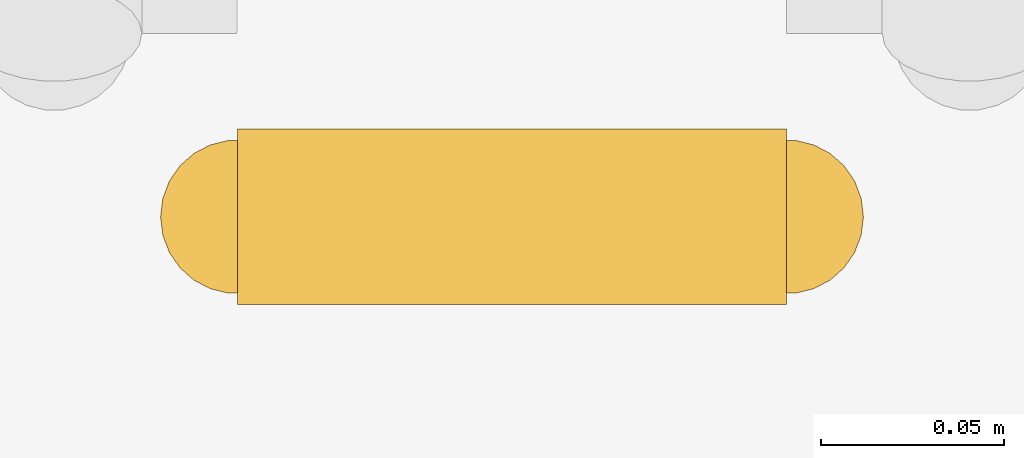
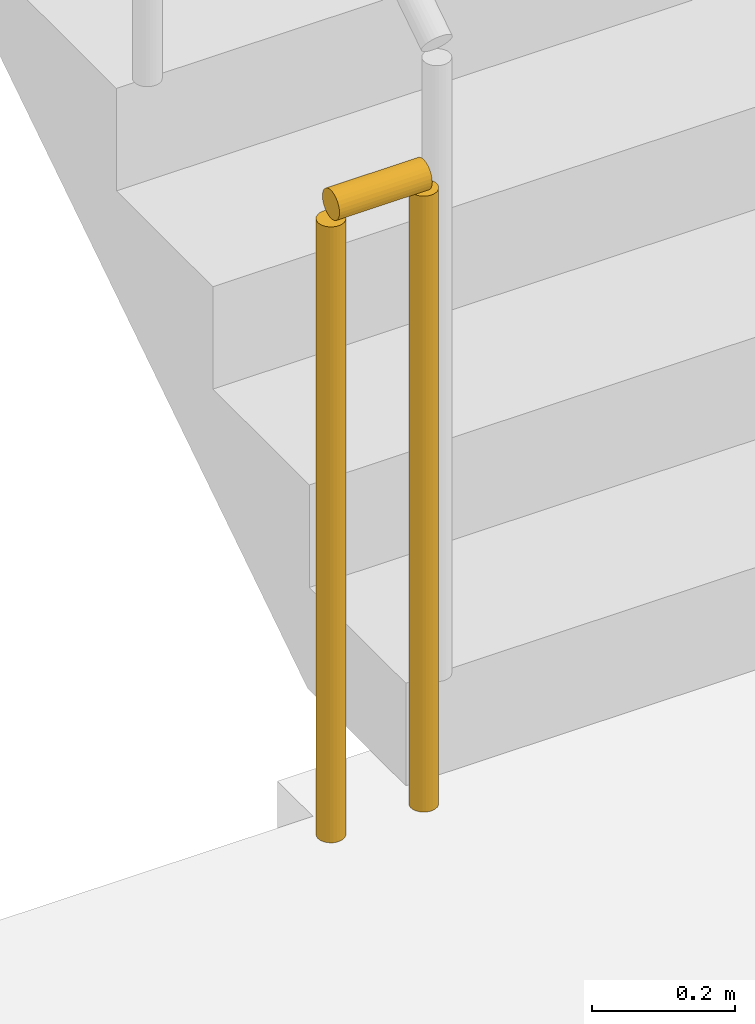
# One storey, part 14 of 19: 1 railing.
"""IFC4 building model written with IfcOpenShell, lengths in metres."""

from ifc_helpers import new_model, si_unit, direction, frame, origin, origin_2d, place, context, subcontext, project, spatial, circle, extrude, material, type_object, element, save


model = new_model("IFC4")

# Units and contexts
model_context = context("Model", 3, precision=1e-05, world=origin(), true_north=direction((0.0, 1.0)))
body_context = subcontext(model_context, "Body", "Model", "MODEL_VIEW")
ifc_project = project(units=[si_unit("LENGTHUNIT", "METRE"), si_unit("AREAUNIT", "SQUARE_METRE"), si_unit("VOLUMEUNIT", "CUBIC_METRE"), si_unit("PLANEANGLEUNIT", "RADIAN"), si_unit("MASSUNIT", "GRAM", prefix="KILO")], contexts=[model_context])

# Site, building, storey
site_placement = place(None, origin())
site = spatial("IfcSite", under=ifc_project, at=site_placement, CompositionType="ELEMENT")
building_placement = place(site_placement, origin())
building = spatial("IfcBuilding", under=site, at=building_placement, Name="Saffron Iwan Residences", CompositionType="ELEMENT")
storey_placement = place(building_placement, frame((0.0, 0.0, 218.5)))
storey = spatial("IfcBuildingStorey", under=building, at=storey_placement, Name="L58", CompositionType="ELEMENT", Elevation=218.5)

# Railing
ifc_material = material(Name="Steel S355", Category="steel")
railing_type = type_object("IfcRailingType", Name="Stair guard 1100", PredefinedType="GUARDRAIL", material=ifc_material)
railing_placement = place(storey_placement, frame((31.25, 67.800048828125, 0.0)))
element("IfcRailing", 1, at=railing_placement, inside=storey, type_object=railing_type, Name="L58 ST-W stair guard 2", PredefinedType="GUARDRAIL", context=body_context, shape_type="SweptSolid", body=[
    extrude(circle(Radius=0.02392578125, at=origin_2d()), frame((0.0, 0.0, 1.076171875), z_axis=(-1.0, 0.0, 0.0), x_axis=(0.0, -1.0, 0.0)), (0.0, 0.0, 1.0), 0.14990234375),
    extrude(circle(Radius=0.02099609375, at=origin_2d()), origin(), (0.0, 0.0, 1.0), 1.052001953125),
    extrude(circle(Radius=0.02099609375, at=origin_2d()), frame((-0.14990234375, 0.0, 0.0)), (0.0, 0.0, 1.0), 1.052001953125),
])

save(model, "model.ifc")
